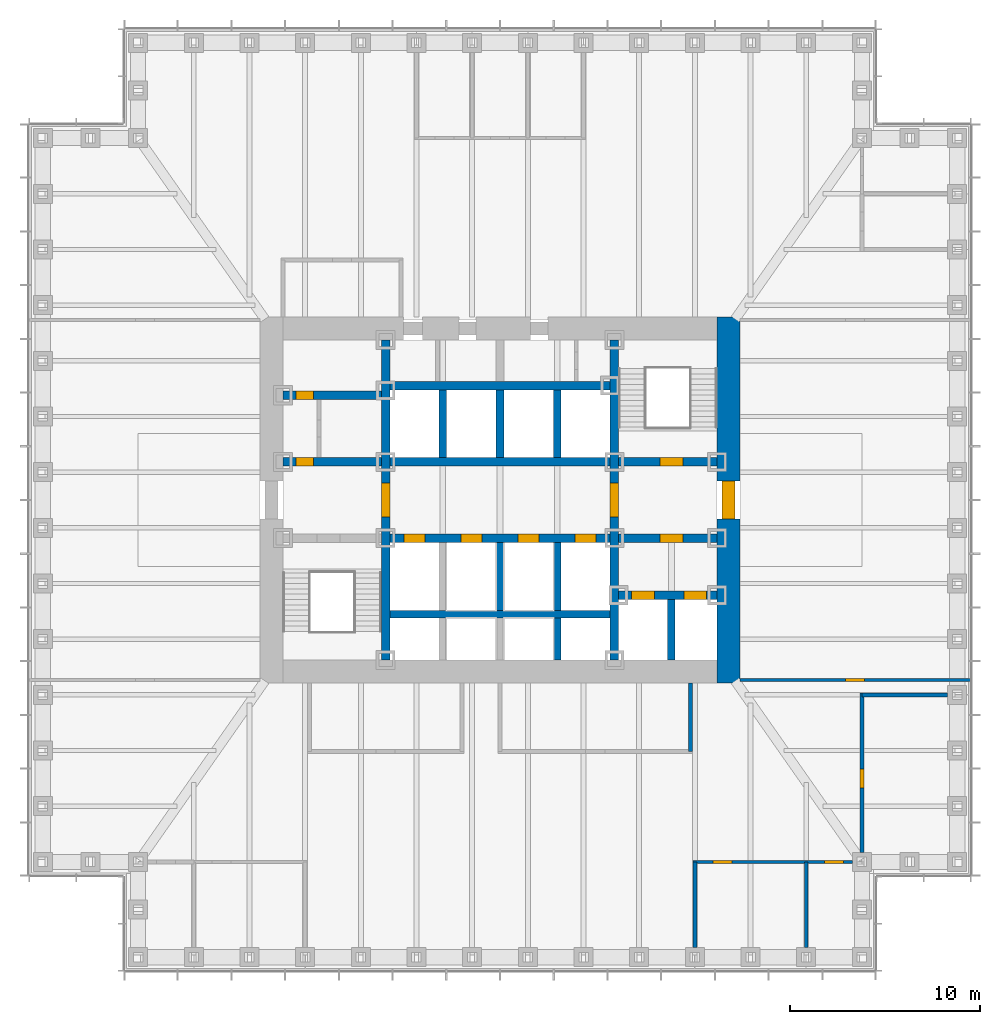
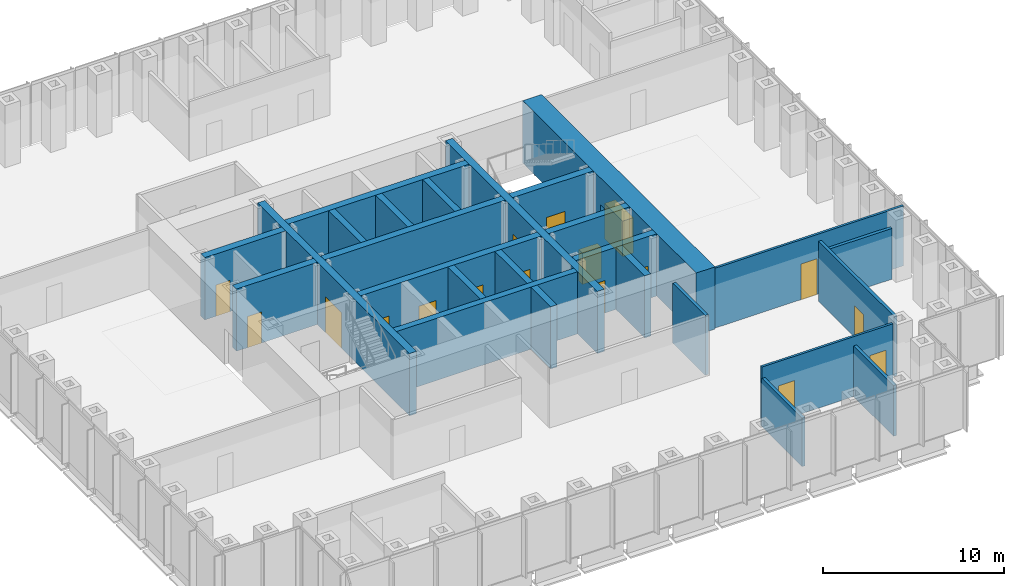
# One storey, part 9 of 16: 26 walls, 17 doors, 17 openings.
"""IFC4 building model written with IfcOpenShell, lengths in metres."""

from ifc_helpers import new_model, si_unit, direction, frame, frame_2d, origin, place, context, subcontext, project, spatial, rectangle, extrude, material, layer, layer_set, type_object, element, fill, save


model = new_model("IFC4")

# Units and contexts
model_context = context("Model", 3, precision=1e-05, world=origin(), true_north=direction((0.0, 1.0)))
body_context = subcontext(model_context, "Body", "Model", "MODEL_VIEW")
ifc_project = project(units=[si_unit("LENGTHUNIT", "METRE"), si_unit("AREAUNIT", "SQUARE_METRE"), si_unit("VOLUMEUNIT", "CUBIC_METRE"), si_unit("PLANEANGLEUNIT", "RADIAN"), si_unit("MASSUNIT", "GRAM", prefix="KILO")], contexts=[model_context])

# Site, building, storey
site_placement = place(None, origin())
site = spatial("IfcSite", under=ifc_project, at=site_placement, CompositionType="ELEMENT")
building_placement = place(site_placement, origin())
building = spatial("IfcBuilding", under=site, at=building_placement, Name="Daluyong Arena Tower", CompositionType="ELEMENT")
storey_placement = place(building_placement, frame((0.0, 0.0, 47.5)))
storey = spatial("IfcBuildingStorey", under=building, at=storey_placement, Name="L09", CompositionType="ELEMENT", Elevation=47.5)

# Wall, opening, door
ifc_material_1 = material(Name="Concrete fc' 45 MPa", Category="concrete")
ifc_layer_1 = layer(ifc_material_1, 0.449951171875)
ifc_layer_set_1 = layer_set([ifc_layer_1], Name="Concrete fc' 45 MPa")
wall_type_1 = type_object("IfcWallType", Name="Core inner wall 450", PredefinedType="SHEAR", material=ifc_layer_set_1)
wall_1_placement = place(storey_placement, frame((50.0, 71.60009765625, 0.0), z_axis=(0.0, 0.0, 1.0), x_axis=(0.0, 1.0, 0.0)))
wall_1 = element("IfcWall", 1, at=wall_1_placement, inside=storey, type_object=wall_type_1, Name="core inner wall at L09", PredefinedType="SHEAR", context=body_context, shape_type="SweptSolid", body=[
    extrude(rectangle(XDim=16.7998046875, YDim=0.449951171875, at=frame_2d((8.39990234375, 0.0))), origin(), (0.0, 0.0, 1.0), 4.199951171875),
])
opening_1_placement = place(wall_1_placement, frame((7.5, 0.0, 0.0)))
opening_1 = element("IfcOpeningElement", 2, at=opening_1_placement, cuts=wall_1, Name="Opening 09012", PredefinedType="OPENING", context=body_context, shape_type="SweptSolid", body=[
    extrude(rectangle(XDim=1.800048828125, YDim=2.39990234375, at=frame_2d((0.89990234375, 1.199951171875))), frame((0.0, 0.23486328125, 0.0), z_axis=(0.0, -1.0, 0.0), x_axis=(1.0, 0.0, 0.0)), (0.0, 0.0, 1.0), 0.469970703125),
])
ifc_material_2 = material(Name="Steel door, fire rated", Category="steel")
door_type_1 = type_object("IfcDoorType", Name="Lift lobby opening door 1800", OperationType="DOUBLE_DOOR_SINGLE_SWING", PredefinedType="DOOR", material=ifc_material_2)
door_1_placement = place(opening_1_placement, origin())
door_1 = element("IfcDoor", 3, at=door_1_placement, inside=storey, type_object=door_type_1, Name="lift lobby door west 09012", OperationType="DOUBLE_DOOR_SINGLE_SWING", OverallHeight=2.39990234375, OverallWidth=1.800048828125, PredefinedType="DOOR", context=body_context, shape_type="SweptSolid", body=[
    extrude(rectangle(XDim=1.800048828125, YDim=2.39990234375, at=frame_2d((0.89990234375, 1.199951171875))), frame((0.0, 0.224609375, 0.0), z_axis=(0.0, -1.0, 0.0), x_axis=(1.0, 0.0, 0.0)), (0.0, 0.0, 1.0), 0.449462890625),
])
fill(opening_1, door_1)

wall_2_placement = place(storey_placement, frame((62.0, 71.60009765625, 0.0), z_axis=(0.0, 0.0, 1.0), x_axis=(0.0, 1.0, 0.0)))
wall_2 = element("IfcWall", 4, at=wall_2_placement, inside=storey, type_object=wall_type_1, Name="core inner wall at L09", PredefinedType="SHEAR", context=body_context, shape_type="SweptSolid", body=[
    extrude(rectangle(XDim=16.7998046875, YDim=0.449951171875, at=frame_2d((8.39990234375, 0.0))), origin(), (0.0, 0.0, 1.0), 4.199951171875),
])
opening_2_placement = place(wall_2_placement, frame((7.5, 0.0, 0.0)))
opening_2 = element("IfcOpeningElement", 5, at=opening_2_placement, cuts=wall_2, Name="Opening 09013", PredefinedType="OPENING", context=body_context, shape_type="SweptSolid", body=[
    extrude(rectangle(XDim=1.800048828125, YDim=2.39990234375, at=frame_2d((0.89990234375, 1.199951171875))), frame((0.0, 0.23486328125, 0.0), z_axis=(0.0, -1.0, 0.0), x_axis=(1.0, 0.0, 0.0)), (0.0, 0.0, 1.0), 0.469970703125),
])
door_2_placement = place(opening_2_placement, origin())
door_2 = element("IfcDoor", 6, at=door_2_placement, inside=storey, type_object=door_type_1, Name="lift lobby door east 09013", OperationType="DOUBLE_DOOR_SINGLE_SWING", OverallHeight=2.39990234375, OverallWidth=1.800048828125, PredefinedType="DOOR", context=body_context, shape_type="SweptSolid", body=[
    extrude(rectangle(XDim=1.800048828125, YDim=2.39990234375, at=frame_2d((0.89990234375, 1.199951171875))), frame((0.0, 0.224609375, 0.0), z_axis=(0.0, -1.0, 0.0), x_axis=(1.0, 0.0, 0.0)), (0.0, 0.0, 1.0), 0.449462890625),
])
fill(opening_2, door_2)

wall_3_placement = place(storey_placement, frame((44.60009765625, 82.0, 0.0), z_axis=(0.0, 0.0, 1.0), x_axis=(1.0, 0.0, 0.0)))
wall_3 = element("IfcWall", 7, at=wall_3_placement, inside=storey, type_object=wall_type_1, Name="core inner wall at L09", PredefinedType="SHEAR", context=body_context, shape_type="SweptSolid", body=[
    extrude(rectangle(XDim=5.1748046875, YDim=0.449951171875, at=frame_2d((2.58740234375, 0.0))), origin(), (0.0, 0.0, 1.0), 4.199951171875),
])
opening_3_placement = place(wall_3_placement, frame((0.699951171875, 0.0, 0.0)))
opening_3 = element("IfcOpeningElement", 8, at=opening_3_placement, cuts=wall_3, Name="Opening 09001", PredefinedType="OPENING", context=body_context, shape_type="SweptSolid", body=[
    extrude(rectangle(XDim=0.89990234375, YDim=2.10009765625, at=frame_2d((0.449951171875, 1.050048828125))), frame((0.0, 0.23486328125, 0.0), z_axis=(0.0, -1.0, 0.0), x_axis=(1.0, 0.0, 0.0)), (0.0, 0.0, 1.0), 0.469970703125),
])
ifc_material_3 = material(Name="Steel door, fire rated", Category="steel")
door_type_2 = type_object("IfcDoorType", Name="Core room door 900", OperationType="SINGLE_SWING_LEFT", PredefinedType="DOOR", material=ifc_material_3)
door_3_placement = place(opening_3_placement, origin())
door_3 = element("IfcDoor", 9, at=door_3_placement, inside=storey, type_object=door_type_2, Name="toilet lobby door 09001", OperationType="SINGLE_SWING_LEFT", OverallHeight=2.10009765625, OverallWidth=0.89990234375, PredefinedType="DOOR", context=body_context, shape_type="SweptSolid", body=[
    extrude(rectangle(XDim=0.89990234375, YDim=2.10009765625, at=frame_2d((0.449951171875, 1.050048828125))), frame((0.0, 0.224609375, 0.0), z_axis=(0.0, -1.0, 0.0), x_axis=(1.0, 0.0, 0.0)), (0.0, 0.0, 1.0), 0.449462890625),
])
fill(opening_3, door_3)

wall_4_placement = place(storey_placement, frame((44.60009765625, 85.5, 0.0), z_axis=(0.0, 0.0, 1.0), x_axis=(1.0, 0.0, 0.0)))
wall_4 = element("IfcWall", 10, at=wall_4_placement, inside=storey, type_object=wall_type_1, Name="core inner wall at L09", PredefinedType="SHEAR", context=body_context, shape_type="SweptSolid", body=[
    extrude(rectangle(XDim=5.1748046875, YDim=0.449951171875, at=frame_2d((2.58740234375, 0.0))), origin(), (0.0, 0.0, 1.0), 4.199951171875),
])
opening_4_placement = place(wall_4_placement, frame((0.699951171875, 0.0, 0.0)))
opening_4 = element("IfcOpeningElement", 11, at=opening_4_placement, cuts=wall_4, Name="Opening 09003", PredefinedType="OPENING", context=body_context, shape_type="SweptSolid", body=[
    extrude(rectangle(XDim=0.89990234375, YDim=2.10009765625, at=frame_2d((0.449951171875, 1.050048828125))), frame((0.0, 0.23486328125, 0.0), z_axis=(0.0, -1.0, 0.0), x_axis=(1.0, 0.0, 0.0)), (0.0, 0.0, 1.0), 0.469970703125),
])
ifc_material_4 = material(Name="Timber door", Category="wood")
door_type_3 = type_object("IfcDoorType", Name="Toilet door 900", OperationType="SINGLE_SWING_RIGHT", PredefinedType="DOOR", material=ifc_material_4)
door_4_placement = place(opening_4_placement, origin())
door_4 = element("IfcDoor", 12, at=door_4_placement, inside=storey, type_object=door_type_3, Name="female toilet door 09003", OperationType="SINGLE_SWING_RIGHT", OverallHeight=2.10009765625, OverallWidth=0.89990234375, PredefinedType="DOOR", context=body_context, shape_type="SweptSolid", body=[
    extrude(rectangle(XDim=0.89990234375, YDim=2.10009765625, at=frame_2d((0.449951171875, 1.050048828125))), frame((0.0, 0.224609375, 0.0), z_axis=(0.0, -1.0, 0.0), x_axis=(1.0, 0.0, 0.0)), (0.0, 0.0, 1.0), 0.449462890625),
])
fill(opening_4, door_4)

# Wall, openings, doors
wall_5_placement = place(storey_placement, frame((62.22509765625, 75.0, 0.0), z_axis=(0.0, 0.0, 1.0), x_axis=(1.0, 0.0, 0.0)))
wall_5 = element("IfcWall", 13, at=wall_5_placement, inside=storey, type_object=wall_type_1, Name="core inner wall at L09", PredefinedType="SHEAR", context=body_context, shape_type="SweptSolid", body=[
    extrude(rectangle(XDim=5.1748046875, YDim=0.449951171875, at=frame_2d((2.58740234375, 0.0))), origin(), (0.0, 0.0, 1.0), 4.199951171875),
])
opening_5_placement = place(wall_5_placement, frame((0.675048828125, 0.0, 0.0)))
opening_5 = element("IfcOpeningElement", 14, at=opening_5_placement, cuts=wall_5, Name="Opening 09019", PredefinedType="OPENING", context=body_context, shape_type="SweptSolid", body=[
    extrude(rectangle(XDim=1.199951171875, YDim=2.199951171875, at=frame_2d((0.60009765625, 1.10009765625))), frame((0.0, 0.23486328125, 0.0), z_axis=(0.0, -1.0, 0.0), x_axis=(1.0, 0.0, 0.0)), (0.0, 0.0, 1.0), 0.469970703125),
])
opening_6_placement = place(wall_5_placement, frame((3.425048828125, 0.0, 0.0)))
opening_6 = element("IfcOpeningElement", 15, at=opening_6_placement, cuts=wall_5, Name="Opening 09020", PredefinedType="OPENING", context=body_context, shape_type="SweptSolid", body=[
    extrude(rectangle(XDim=1.199951171875, YDim=2.199951171875, at=frame_2d((0.60009765625, 1.10009765625))), frame((0.0, 0.23486328125, 0.0), z_axis=(0.0, -1.0, 0.0), x_axis=(1.0, 0.0, 0.0)), (0.0, 0.0, 1.0), 0.469970703125),
])
ifc_material_5 = material(Name="Steel door, fire rated", Category="steel")
door_type_4 = type_object("IfcDoorType", Name="Firefighting lift landing door 1200", OperationType="SLIDING_TO_LEFT", PredefinedType="DOOR", material=ifc_material_5)
door_5_placement = place(opening_5_placement, origin())
door_5 = element("IfcDoor", 16, at=door_5_placement, inside=storey, type_object=door_type_4, Name="firefighting lift landing door F1 09019", OperationType="SLIDING_TO_LEFT", OverallHeight=2.199951171875, OverallWidth=1.199951171875, PredefinedType="DOOR", context=body_context, shape_type="SweptSolid", body=[
    extrude(rectangle(XDim=1.199951171875, YDim=2.199951171875, at=frame_2d((0.60009765625, 1.10009765625))), frame((0.0, 0.224609375, 0.0), z_axis=(0.0, -1.0, 0.0), x_axis=(1.0, 0.0, 0.0)), (0.0, 0.0, 1.0), 0.449462890625),
])
fill(opening_5, door_5)
door_6_placement = place(opening_6_placement, origin())
door_6 = element("IfcDoor", 17, at=door_6_placement, inside=storey, type_object=door_type_4, Name="firefighting lift landing door F2 09020", OperationType="SLIDING_TO_LEFT", OverallHeight=2.199951171875, OverallWidth=1.199951171875, PredefinedType="DOOR", context=body_context, shape_type="SweptSolid", body=[
    extrude(rectangle(XDim=1.199951171875, YDim=2.199951171875, at=frame_2d((0.60009765625, 1.10009765625))), frame((0.0, 0.224609375, 0.0), z_axis=(0.0, -1.0, 0.0), x_axis=(1.0, 0.0, 0.0)), (0.0, 0.0, 1.0), 0.449462890625),
])
fill(opening_6, door_6)

# Wall, opening, door
wall_6_placement = place(storey_placement, frame((62.22509765625, 78.0, 0.0), z_axis=(0.0, 0.0, 1.0), x_axis=(1.0, 0.0, 0.0)))
wall_6 = element("IfcWall", 18, at=wall_6_placement, inside=storey, type_object=wall_type_1, Name="core inner wall at L09", PredefinedType="SHEAR", context=body_context, shape_type="SweptSolid", body=[
    extrude(rectangle(XDim=5.1748046875, YDim=0.449951171875, at=frame_2d((2.58740234375, 0.0))), origin(), (0.0, 0.0, 1.0), 4.199951171875),
])
opening_7_placement = place(wall_6_placement, frame((2.175048828125, 0.0, 0.0)))
opening_7 = element("IfcOpeningElement", 19, at=opening_7_placement, cuts=wall_6, Name="Opening 09014", PredefinedType="OPENING", context=body_context, shape_type="SweptSolid", body=[
    extrude(rectangle(XDim=1.199951171875, YDim=2.10009765625, at=frame_2d((0.60009765625, 1.050048828125))), frame((0.0, 0.23486328125, 0.0), z_axis=(0.0, -1.0, 0.0), x_axis=(1.0, 0.0, 0.0)), (0.0, 0.0, 1.0), 0.469970703125),
])
ifc_material_6 = material(Name="Steel door, fire rated", Category="steel")
door_type_5 = type_object("IfcDoorType", Name="Firefighting lobby door 1200", OperationType="SINGLE_SWING_RIGHT", PredefinedType="DOOR", material=ifc_material_6)
door_7_placement = place(opening_7_placement, origin())
door_7 = element("IfcDoor", 20, at=door_7_placement, inside=storey, type_object=door_type_5, Name="firefighting lobby door 09014", OperationType="SINGLE_SWING_RIGHT", OverallHeight=2.10009765625, OverallWidth=1.199951171875, PredefinedType="DOOR", context=body_context, shape_type="SweptSolid", body=[
    extrude(rectangle(XDim=1.199951171875, YDim=2.10009765625, at=frame_2d((0.60009765625, 1.050048828125))), frame((0.0, 0.224609375, 0.0), z_axis=(0.0, -1.0, 0.0), x_axis=(1.0, 0.0, 0.0)), (0.0, 0.0, 1.0), 0.449462890625),
])
fill(opening_7, door_7)

wall_7_placement = place(storey_placement, frame((62.22509765625, 82.0, 0.0), z_axis=(0.0, 0.0, 1.0), x_axis=(1.0, 0.0, 0.0)))
wall_7 = element("IfcWall", 21, at=wall_7_placement, inside=storey, type_object=wall_type_1, Name="core inner wall at L09", PredefinedType="SHEAR", context=body_context, shape_type="SweptSolid", body=[
    extrude(rectangle(XDim=5.1748046875, YDim=0.449951171875, at=frame_2d((2.58740234375, 0.0))), origin(), (0.0, 0.0, 1.0), 4.199951171875),
])
opening_8_placement = place(wall_7_placement, frame((2.175048828125, 0.0, 0.0)))
opening_8 = element("IfcOpeningElement", 22, at=opening_8_placement, cuts=wall_7, Name="Opening 09009", PredefinedType="OPENING", context=body_context, shape_type="SweptSolid", body=[
    extrude(rectangle(XDim=1.199951171875, YDim=2.10009765625, at=frame_2d((0.60009765625, 1.050048828125))), frame((0.0, 0.23486328125, 0.0), z_axis=(0.0, -1.0, 0.0), x_axis=(1.0, 0.0, 0.0)), (0.0, 0.0, 1.0), 0.469970703125),
])
ifc_material_7 = material(Name="Steel door, fire rated", Category="steel")
door_type_6 = type_object("IfcDoorType", Name="Stair door 1200", OperationType="SINGLE_SWING_LEFT", PredefinedType="DOOR", material=ifc_material_7)
door_8_placement = place(opening_8_placement, origin())
door_8 = element("IfcDoor", 23, at=door_8_placement, inside=storey, type_object=door_type_6, Name="stair B door 09009", OperationType="SINGLE_SWING_LEFT", OverallHeight=2.10009765625, OverallWidth=1.199951171875, PredefinedType="DOOR", context=body_context, shape_type="SweptSolid", body=[
    extrude(rectangle(XDim=1.199951171875, YDim=2.10009765625, at=frame_2d((0.60009765625, 1.050048828125))), frame((0.0, 0.224609375, 0.0), z_axis=(0.0, -1.0, 0.0), x_axis=(1.0, 0.0, 0.0)), (0.0, 0.0, 1.0), 0.449462890625),
])
fill(opening_8, door_8)

# Wall, openings, doors
wall_8_placement = place(storey_placement, frame((50.22509765625, 78.0, 0.0), z_axis=(0.0, 0.0, 1.0), x_axis=(1.0, 0.0, 0.0)))
wall_8 = element("IfcWall", 24, at=wall_8_placement, inside=storey, type_object=wall_type_1, Name="core inner wall at L09", PredefinedType="SHEAR", context=body_context, shape_type="SweptSolid", body=[
    extrude(rectangle(XDim=11.5498046875, YDim=0.449951171875, at=frame_2d((5.77490234375, 0.0))), origin(), (0.0, 0.0, 1.0), 4.199951171875),
])
opening_9_placement = place(wall_8_placement, frame((0.72509765625, 0.0, 0.0)))
opening_9 = element("IfcOpeningElement", 25, at=opening_9_placement, cuts=wall_8, Name="Opening 09015", PredefinedType="OPENING", context=body_context, shape_type="SweptSolid", body=[
    extrude(rectangle(XDim=1.10009765625, YDim=2.199951171875, at=frame_2d((0.550048828125, 1.10009765625))), frame((0.0, 0.23486328125, 0.0), z_axis=(0.0, -1.0, 0.0), x_axis=(1.0, 0.0, 0.0)), (0.0, 0.0, 1.0), 0.469970703125),
])
opening_10_placement = place(wall_8_placement, frame((3.72509765625, 0.0, 0.0)))
opening_10 = element("IfcOpeningElement", 26, at=opening_10_placement, cuts=wall_8, Name="Opening 09016", PredefinedType="OPENING", context=body_context, shape_type="SweptSolid", body=[
    extrude(rectangle(XDim=1.10009765625, YDim=2.199951171875, at=frame_2d((0.550048828125, 1.10009765625))), frame((0.0, 0.23486328125, 0.0), z_axis=(0.0, -1.0, 0.0), x_axis=(1.0, 0.0, 0.0)), (0.0, 0.0, 1.0), 0.469970703125),
])
opening_11_placement = place(wall_8_placement, frame((6.72509765625, 0.0, 0.0)))
opening_11 = element("IfcOpeningElement", 27, at=opening_11_placement, cuts=wall_8, Name="Opening 09017", PredefinedType="OPENING", context=body_context, shape_type="SweptSolid", body=[
    extrude(rectangle(XDim=1.10009765625, YDim=2.199951171875, at=frame_2d((0.550048828125, 1.10009765625))), frame((0.0, 0.23486328125, 0.0), z_axis=(0.0, -1.0, 0.0), x_axis=(1.0, 0.0, 0.0)), (0.0, 0.0, 1.0), 0.469970703125),
])
opening_12_placement = place(wall_8_placement, frame((9.72509765625, 0.0, 0.0)))
opening_12 = element("IfcOpeningElement", 28, at=opening_12_placement, cuts=wall_8, Name="Opening 09018", PredefinedType="OPENING", context=body_context, shape_type="SweptSolid", body=[
    extrude(rectangle(XDim=1.10009765625, YDim=2.199951171875, at=frame_2d((0.550048828125, 1.10009765625))), frame((0.0, 0.23486328125, 0.0), z_axis=(0.0, -1.0, 0.0), x_axis=(1.0, 0.0, 0.0)), (0.0, 0.0, 1.0), 0.469970703125),
])
ifc_material_8 = material(Name="Steel door, fire rated", Category="steel")
door_type_7 = type_object("IfcDoorType", Name="Lift landing door 1100", OperationType="SLIDING_TO_LEFT", PredefinedType="DOOR", material=ifc_material_8)
door_9_placement = place(opening_9_placement, origin())
door_9 = element("IfcDoor", 29, at=door_9_placement, inside=storey, type_object=door_type_7, Name="lift landing door A1 09015", OperationType="SLIDING_TO_LEFT", OverallHeight=2.199951171875, OverallWidth=1.10009765625, PredefinedType="DOOR", context=body_context, shape_type="SweptSolid", body=[
    extrude(rectangle(XDim=1.10009765625, YDim=2.199951171875, at=frame_2d((0.550048828125, 1.10009765625))), frame((0.0, 0.224609375, 0.0), z_axis=(0.0, -1.0, 0.0), x_axis=(1.0, 0.0, 0.0)), (0.0, 0.0, 1.0), 0.449462890625),
])
fill(opening_9, door_9)
door_10_placement = place(opening_10_placement, origin())
door_10 = element("IfcDoor", 30, at=door_10_placement, inside=storey, type_object=door_type_7, Name="lift landing door A2 09016", OperationType="SLIDING_TO_LEFT", OverallHeight=2.199951171875, OverallWidth=1.10009765625, PredefinedType="DOOR", context=body_context, shape_type="SweptSolid", body=[
    extrude(rectangle(XDim=1.10009765625, YDim=2.199951171875, at=frame_2d((0.550048828125, 1.10009765625))), frame((0.0, 0.224609375, 0.0), z_axis=(0.0, -1.0, 0.0), x_axis=(1.0, 0.0, 0.0)), (0.0, 0.0, 1.0), 0.449462890625),
])
fill(opening_10, door_10)
door_11_placement = place(opening_11_placement, origin())
door_11 = element("IfcDoor", 31, at=door_11_placement, inside=storey, type_object=door_type_7, Name="lift landing door A3 09017", OperationType="SLIDING_TO_LEFT", OverallHeight=2.199951171875, OverallWidth=1.10009765625, PredefinedType="DOOR", context=body_context, shape_type="SweptSolid", body=[
    extrude(rectangle(XDim=1.10009765625, YDim=2.199951171875, at=frame_2d((0.550048828125, 1.10009765625))), frame((0.0, 0.224609375, 0.0), z_axis=(0.0, -1.0, 0.0), x_axis=(1.0, 0.0, 0.0)), (0.0, 0.0, 1.0), 0.449462890625),
])
fill(opening_11, door_11)
door_12_placement = place(opening_12_placement, origin())
door_12 = element("IfcDoor", 32, at=door_12_placement, inside=storey, type_object=door_type_7, Name="lift landing door A4 09018", OperationType="SLIDING_TO_LEFT", OverallHeight=2.199951171875, OverallWidth=1.10009765625, PredefinedType="DOOR", context=body_context, shape_type="SweptSolid", body=[
    extrude(rectangle(XDim=1.10009765625, YDim=2.199951171875, at=frame_2d((0.550048828125, 1.10009765625))), frame((0.0, 0.224609375, 0.0), z_axis=(0.0, -1.0, 0.0), x_axis=(1.0, 0.0, 0.0)), (0.0, 0.0, 1.0), 0.449462890625),
])
fill(opening_12, door_12)

# Walls
for number, where, z_axis, x_axis, name in (
    (33, (50.22509765625, 82.0, 0.0), (0.0, 0.0, 1.0), (1.0, 0.0, 0.0), "core inner wall at L09"),
    (34, (50.22509765625, 86.0, 0.0), (0.0, 0.0, 1.0), (1.0, 0.0, 0.0), "core inner wall at L09"),
):
    element("IfcWall", number, at=place(storey_placement, frame(where, z_axis=z_axis, x_axis=x_axis)), inside=storey, type_object=wall_type_1, Name=name, PredefinedType="SHEAR", context=body_context, shape_type="SweptSolid", body=[
        extrude(rectangle(XDim=11.5498046875, YDim=0.449951171875, at=frame_2d((5.77490234375, 0.0))), origin(), (0.0, 0.0, 1.0), 4.199951171875),
    ])

# Wall, opening, door
ifc_material_9 = material(Name="Concrete fc' 60 MPa", Category="concrete")
ifc_layer_2 = layer(ifc_material_9, 1.199951171875)
ifc_layer_set_2 = layer_set([ifc_layer_2], Name="Concrete fc' 60 MPa")
wall_type_2 = type_object("IfcWallType", Name="Core wall 1200", PredefinedType="SHEAR", material=ifc_layer_set_2)
wall_9_placement = place(storey_placement, frame((68.0, 70.39990234375, 0.0), z_axis=(0.0, 0.0, 1.0), x_axis=(0.0, 1.0, 0.0)))
wall_9 = element("IfcWall", 35, at=wall_9_placement, inside=storey, type_object=wall_type_2, Name="core wall at L09", PredefinedType="SHEAR", context=body_context, shape_type="SweptSolid", body=[
    extrude(rectangle(XDim=19.2001953125, YDim=1.199951171875, at=frame_2d((9.60009765625, 0.0))), origin(), (0.0, 0.0, 1.0), 4.199951171875),
])
opening_13_placement = place(wall_9_placement, frame((8.60009765625, 0.0, 0.0)))
opening_13 = element("IfcOpeningElement", 36, at=opening_13_placement, cuts=wall_9, Name="Opening 09011", PredefinedType="OPENING", context=body_context, shape_type="SweptSolid", body=[
    extrude(rectangle(XDim=2.0, YDim=2.39990234375, at=frame_2d((1.0, 1.199951171875))), frame((0.0, 0.60986328125, 0.0), z_axis=(0.0, -1.0, 0.0), x_axis=(1.0, 0.0, 0.0)), (0.0, 0.0, 1.0), 1.219970703125),
])
ifc_material_10 = material(Name="Steel door, fire rated", Category="steel")
door_type_8 = type_object("IfcDoorType", Name="Core lobby double door 2000", OperationType="DOUBLE_DOOR_SINGLE_SWING", PredefinedType="DOOR", material=ifc_material_10)
door_13_placement = place(opening_13_placement, origin())
door_13 = element("IfcDoor", 37, at=door_13_placement, inside=storey, type_object=door_type_8, Name="core lobby door east 09011", OperationType="DOUBLE_DOOR_SINGLE_SWING", OverallHeight=2.39990234375, OverallWidth=2.0, PredefinedType="DOOR", context=body_context, shape_type="SweptSolid", body=[
    extrude(rectangle(XDim=2.0, YDim=2.39990234375, at=frame_2d((1.0, 1.199951171875))), frame((0.0, 0.35009765625, 0.0), z_axis=(0.0, -1.0, 0.0), x_axis=(1.0, 0.0, 0.0)), (0.0, 0.0, 1.0), 0.699951171875),
])
fill(opening_13, door_13)

# Wall, openings, doors
ifc_material_11 = material(Name="Glazed aluminium partition", Category="aluminium")
ifc_layer_3 = layer(ifc_material_11, 0.14990234375)
ifc_layer_set_3 = layer_set([ifc_layer_3], Name="Glazed aluminium partition")
wall_type_3 = type_object("IfcWallType", Name="Glazed partition 150", PredefinedType="PARTITIONING", material=ifc_layer_set_3)
wall_10_placement = place(storey_placement, frame((66.130859375, 61.0, 0.0), z_axis=(0.0, 0.0, 1.0), x_axis=(1.0, 0.0, 0.0)))
wall_10 = element("IfcWall", 38, at=wall_10_placement, inside=storey, type_object=wall_type_3, Name="glazed partition at L09", PredefinedType="PARTITIONING", context=body_context, shape_type="SweptSolid", body=[
    extrude(rectangle(XDim=8.369140625, YDim=0.14990234375, at=frame_2d((4.1845703125, 0.0))), origin(), (0.0, 0.0, 1.0), 4.0400390625),
])
opening_14_placement = place(wall_10_placement, frame((1.0615234375, 0.0, 0.0)))
opening_14 = element("IfcOpeningElement", 39, at=opening_14_placement, cuts=wall_10, Name="Opening 09023", PredefinedType="OPENING", context=body_context, shape_type="SweptSolid", body=[
    extrude(rectangle(XDim=1.0, YDim=2.39990234375, at=frame_2d((0.5, 1.199951171875))), frame((0.0, 0.0849609375, 0.0), z_axis=(0.0, -1.0, 0.0), x_axis=(1.0, 0.0, 0.0)), (0.0, 0.0, 1.0), 0.169921875),
])
opening_15_placement = place(wall_10_placement, frame((6.90771484375, 0.0, 0.0)))
opening_15 = element("IfcOpeningElement", 40, at=opening_15_placement, cuts=wall_10, Name="Opening 09024", PredefinedType="OPENING", context=body_context, shape_type="SweptSolid", body=[
    extrude(rectangle(XDim=1.0, YDim=2.39990234375, at=frame_2d((0.5, 1.199951171875))), frame((0.0, 0.0849609375, 0.0), z_axis=(0.0, -1.0, 0.0), x_axis=(1.0, 0.0, 0.0)), (0.0, 0.0, 1.0), 0.169921875),
])
ifc_material_12 = material(Name="Glazed aluminium door", Category="aluminium")
door_type_9 = type_object("IfcDoorType", Name="Meeting room glazed door 1000", OperationType="SINGLE_SWING_RIGHT", PredefinedType="DOOR", material=ifc_material_12)
door_14_placement = place(opening_14_placement, origin())
door_14 = element("IfcDoor", 41, at=door_14_placement, inside=storey, type_object=door_type_9, Name="meeting room door 09023", OperationType="SINGLE_SWING_RIGHT", OverallHeight=2.39990234375, OverallWidth=1.0, PredefinedType="DOOR", context=body_context, shape_type="SweptSolid", body=[
    extrude(rectangle(XDim=1.0, YDim=2.39990234375, at=frame_2d((0.5, 1.199951171875))), frame((0.0, 0.07470703125, 0.0), z_axis=(0.0, -1.0, 0.0), x_axis=(1.0, 0.0, 0.0)), (0.0, 0.0, 1.0), 0.1494140625),
])
fill(opening_14, door_14)
door_15_placement = place(opening_15_placement, origin())
door_15 = element("IfcDoor", 42, at=door_15_placement, inside=storey, type_object=door_type_9, Name="focus room door 09024", OperationType="SINGLE_SWING_RIGHT", OverallHeight=2.39990234375, OverallWidth=1.0, PredefinedType="DOOR", context=body_context, shape_type="SweptSolid", body=[
    extrude(rectangle(XDim=1.0, YDim=2.39990234375, at=frame_2d((0.5, 1.199951171875))), frame((0.0, 0.07470703125, 0.0), z_axis=(0.0, -1.0, 0.0), x_axis=(1.0, 0.0, 0.0)), (0.0, 0.0, 1.0), 0.1494140625),
])
fill(opening_15, door_15)

# Wall, opening, door
wall_11_placement = place(storey_placement, frame((68.60009765625, 70.550048828125, 0.0), z_axis=(0.0, 0.0, 1.0), x_axis=(1.0, 0.0, 0.0)))
wall_11 = element("IfcWall", 43, at=wall_11_placement, inside=storey, type_object=wall_type_3, Name="glazed partition at L09", PredefinedType="PARTITIONING", context=body_context, shape_type="SweptSolid", body=[
    extrude(rectangle(XDim=12.08984375, YDim=0.14990234375, at=frame_2d((6.044921875, 0.0))), origin(), (0.0, 0.0, 1.0), 4.0400390625),
])
opening_16_placement = place(wall_11_placement, frame((5.544921875, 0.0, 0.0)))
opening_16 = element("IfcOpeningElement", 44, at=opening_16_placement, cuts=wall_11, Name="Opening 09036", PredefinedType="OPENING", context=body_context, shape_type="SweptSolid", body=[
    extrude(rectangle(XDim=1.0, YDim=2.39990234375, at=frame_2d((0.5, 1.199951171875))), frame((0.0, 0.0849609375, 0.0), z_axis=(0.0, -1.0, 0.0), x_axis=(1.0, 0.0, 0.0)), (0.0, 0.0, 1.0), 0.169921875),
])
door_16_placement = place(opening_16_placement, origin())
door_16 = element("IfcDoor", 45, at=door_16_placement, inside=storey, type_object=door_type_9, Name="team area screen door 09036", OperationType="SINGLE_SWING_RIGHT", OverallHeight=2.39990234375, OverallWidth=1.0, PredefinedType="DOOR", context=body_context, shape_type="SweptSolid", body=[
    extrude(rectangle(XDim=1.0, YDim=2.39990234375, at=frame_2d((0.5, 1.199951171875))), frame((0.0, 0.07470703125, 0.0), z_axis=(0.0, -1.0, 0.0), x_axis=(1.0, 0.0, 0.0)), (0.0, 0.0, 1.0), 0.1494140625),
])
fill(opening_16, door_16)

# Walls
ifc_material_13 = material(Name="Concrete fc' 45 MPa", Category="concrete")
ifc_layer_4 = layer(ifc_material_13, 0.39990234375)
ifc_layer_set_4 = layer_set([ifc_layer_4], Name="Concrete fc' 45 MPa")
wall_type_4 = type_object("IfcWallType", Name="Lift shaft wall 400", PredefinedType="SHEAR", material=ifc_layer_set_4)
wall_12_placement = place(storey_placement, frame((50.22509765625, 74.0, 0.0), z_axis=(0.0, 0.0, 1.0), x_axis=(1.0, 0.0, 0.0)))
element("IfcWall", 46, at=wall_12_placement, inside=storey, type_object=wall_type_4, Name="lift shaft wall at L09", PredefinedType="SHEAR", context=body_context, shape_type="SweptSolid", body=[
    extrude(rectangle(XDim=11.5498046875, YDim=0.39990234375, at=frame_2d((5.77490234375, 0.0))), origin(), (0.0, 0.0, 1.0), 4.199951171875),
])
wall_13_placement = place(storey_placement, frame((53.0, 82.22509765625, 0.0), z_axis=(0.0, 0.0, 1.0), x_axis=(0.0, 1.0, 0.0)))
element("IfcWall", 47, at=wall_13_placement, inside=storey, type_object=wall_type_4, Name="lift shaft wall at L09", PredefinedType="SHEAR", context=body_context, shape_type="SweptSolid", body=[
    extrude(rectangle(XDim=3.5498046875, YDim=0.39990234375, at=frame_2d((1.77490234375, 0.0))), origin(), (0.0, 0.0, 1.0), 4.199951171875),
])
wall_14_placement = place(storey_placement, frame((56.0, 74.199951171875, 0.0), z_axis=(0.0, 0.0, 1.0), x_axis=(0.0, 1.0, 0.0)))
element("IfcWall", 48, at=wall_14_placement, inside=storey, type_object=wall_type_4, Name="lift shaft wall at L09", PredefinedType="SHEAR", context=body_context, shape_type="SweptSolid", body=[
    extrude(rectangle(XDim=3.574951171875, YDim=0.39990234375, at=frame_2d((1.78759765625, 0.0))), origin(), (0.0, 0.0, 1.0), 4.199951171875),
])
wall_15_placement = place(storey_placement, frame((56.0, 82.22509765625, 0.0), z_axis=(0.0, 0.0, 1.0), x_axis=(0.0, 1.0, 0.0)))
element("IfcWall", 49, at=wall_15_placement, inside=storey, type_object=wall_type_4, Name="lift shaft wall at L09", PredefinedType="SHEAR", context=body_context, shape_type="SweptSolid", body=[
    extrude(rectangle(XDim=3.5498046875, YDim=0.39990234375, at=frame_2d((1.77490234375, 0.0))), origin(), (0.0, 0.0, 1.0), 4.199951171875),
])
wall_16_placement = place(storey_placement, frame((59.0, 71.60009765625, 0.0), z_axis=(0.0, 0.0, 1.0), x_axis=(0.0, 1.0, 0.0)))
element("IfcWall", 50, at=wall_16_placement, inside=storey, type_object=wall_type_4, Name="lift shaft wall at L09", PredefinedType="SHEAR", context=body_context, shape_type="SweptSolid", body=[
    extrude(rectangle(XDim=2.199951171875, YDim=0.39990234375, at=frame_2d((1.10009765625, 0.0))), origin(), (0.0, 0.0, 1.0), 4.199951171875),
])
wall_17_placement = place(storey_placement, frame((59.0, 74.199951171875, 0.0), z_axis=(0.0, 0.0, 1.0), x_axis=(0.0, 1.0, 0.0)))
element("IfcWall", 51, at=wall_17_placement, inside=storey, type_object=wall_type_4, Name="lift shaft wall at L09", PredefinedType="SHEAR", context=body_context, shape_type="SweptSolid", body=[
    extrude(rectangle(XDim=3.574951171875, YDim=0.39990234375, at=frame_2d((1.78759765625, 0.0))), origin(), (0.0, 0.0, 1.0), 4.199951171875),
])
wall_18_placement = place(storey_placement, frame((59.0, 82.22509765625, 0.0), z_axis=(0.0, 0.0, 1.0), x_axis=(0.0, 1.0, 0.0)))
element("IfcWall", 52, at=wall_18_placement, inside=storey, type_object=wall_type_4, Name="lift shaft wall at L09", PredefinedType="SHEAR", context=body_context, shape_type="SweptSolid", body=[
    extrude(rectangle(XDim=3.5498046875, YDim=0.39990234375, at=frame_2d((1.77490234375, 0.0))), origin(), (0.0, 0.0, 1.0), 4.199951171875),
])
wall_19_placement = place(storey_placement, frame((65.0, 71.60009765625, 0.0), z_axis=(0.0, 0.0, 1.0), x_axis=(0.0, 1.0, 0.0)))
element("IfcWall", 53, at=wall_19_placement, inside=storey, type_object=wall_type_4, Name="lift shaft wall at L09", PredefinedType="SHEAR", context=body_context, shape_type="SweptSolid", body=[
    extrude(rectangle(XDim=3.1748046875, YDim=0.39990234375, at=frame_2d((1.58740234375, 0.0))), origin(), (0.0, 0.0, 1.0), 4.199951171875),
])
ifc_material_14 = material(Name="Concrete block partition", Category="concrete")
ifc_layer_5 = layer(ifc_material_14, 0.199951171875)
ifc_layer_set_5 = layer_set([ifc_layer_5], Name="Concrete block partition")
wall_type_5 = type_object("IfcWallType", Name="Partition 200", PredefinedType="PARTITIONING", material=ifc_layer_set_5)
wall_20_placement = place(storey_placement, frame((66.230712890625, 56.5, 0.0), z_axis=(0.0, 0.0, 1.0), x_axis=(0.0, 1.0, 0.0)))
element("IfcWall", 54, at=wall_20_placement, inside=storey, type_object=wall_type_5, Name="partition at L09", PredefinedType="PARTITIONING", context=body_context, shape_type="SweptSolid", body=[
    extrude(rectangle(XDim=4.5, YDim=0.199951171875, at=frame_2d((2.25, 0.0))), origin(), (0.0, 0.0, 1.0), 3.278076171875),
])
for number, where, z_axis, x_axis, name in (
    (55, (72.076904296875, 56.5, 0.0), (0.0, 0.0, 1.0), (0.0, 1.0, 0.0), "partition at L09"),
    (56, (75.0, 69.769287109375, 0.0), (0.0, 0.0, 1.0), (1.0, 0.0, 0.0), "partition at L09"),
):
    element("IfcWall", number, at=place(storey_placement, frame(where, z_axis=z_axis, x_axis=x_axis)), inside=storey, type_object=wall_type_5, Name=name, PredefinedType="PARTITIONING", context=body_context, shape_type="SweptSolid", body=[
        extrude(rectangle(XDim=4.5, YDim=0.199951171875, at=frame_2d((2.25, 0.0))), origin(), (0.0, 0.0, 1.0), 3.427978515625),
    ])
wall_21_placement = place(storey_placement, frame((66.0, 66.800048828125, 0.0), z_axis=(0.0, 0.0, 1.0), x_axis=(0.0, 1.0, 0.0)))
element("IfcWall", 57, at=wall_21_placement, inside=storey, type_object=wall_type_5, Name="partition at L09", PredefinedType="PARTITIONING", context=body_context, shape_type="SweptSolid", body=[
    extrude(rectangle(XDim=3.599853515625, YDim=0.199951171875, at=frame_2d((1.7998046875, 0.0))), origin(), (0.0, 0.0, 1.0), 4.0400390625),
])

# Wall, opening, door
wall_22_placement = place(storey_placement, frame((75.0, 61.5, 0.0), z_axis=(0.0, 0.0, 1.0), x_axis=(0.0, 1.0, 0.0)))
wall_22 = element("IfcWall", 58, at=wall_22_placement, inside=storey, type_object=wall_type_5, Name="partition at L09", PredefinedType="PARTITIONING", context=body_context, shape_type="SweptSolid", body=[
    extrude(rectangle(XDim=8.369140625, YDim=0.199951171875, at=frame_2d((4.1845703125, 0.0))), origin(), (0.0, 0.0, 1.0), 4.0400390625),
])
opening_17_placement = place(wall_22_placement, frame((3.384521484375, 0.0, 0.0)))
opening_17 = element("IfcOpeningElement", 59, at=opening_17_placement, cuts=wall_22, Name="Opening 09025", PredefinedType="OPENING", context=body_context, shape_type="SweptSolid", body=[
    extrude(rectangle(XDim=1.0, YDim=2.10009765625, at=frame_2d((0.5, 1.050048828125))), frame((0.0, 0.10986328125, 0.0), z_axis=(0.0, -1.0, 0.0), x_axis=(1.0, 0.0, 0.0)), (0.0, 0.0, 1.0), 0.219970703125),
])
ifc_material_15 = material(Name="Timber door", Category="wood")
door_type_10 = type_object("IfcDoorType", Name="Room door 1000", OperationType="SINGLE_SWING_LEFT", PredefinedType="DOOR", material=ifc_material_15)
door_17_placement = place(opening_17_placement, origin())
door_17 = element("IfcDoor", 60, at=door_17_placement, inside=storey, type_object=door_type_10, Name="training room door 09025", OperationType="SINGLE_SWING_LEFT", OverallHeight=2.10009765625, OverallWidth=1.0, PredefinedType="DOOR", context=body_context, shape_type="SweptSolid", body=[
    extrude(rectangle(XDim=1.0, YDim=2.10009765625, at=frame_2d((0.5, 1.050048828125))), frame((0.0, 0.099609375, 0.0), z_axis=(0.0, -1.0, 0.0), x_axis=(1.0, 0.0, 0.0)), (0.0, 0.0, 1.0), 0.199462890625),
])
fill(opening_17, door_17)

save(model, "model.ifc")
